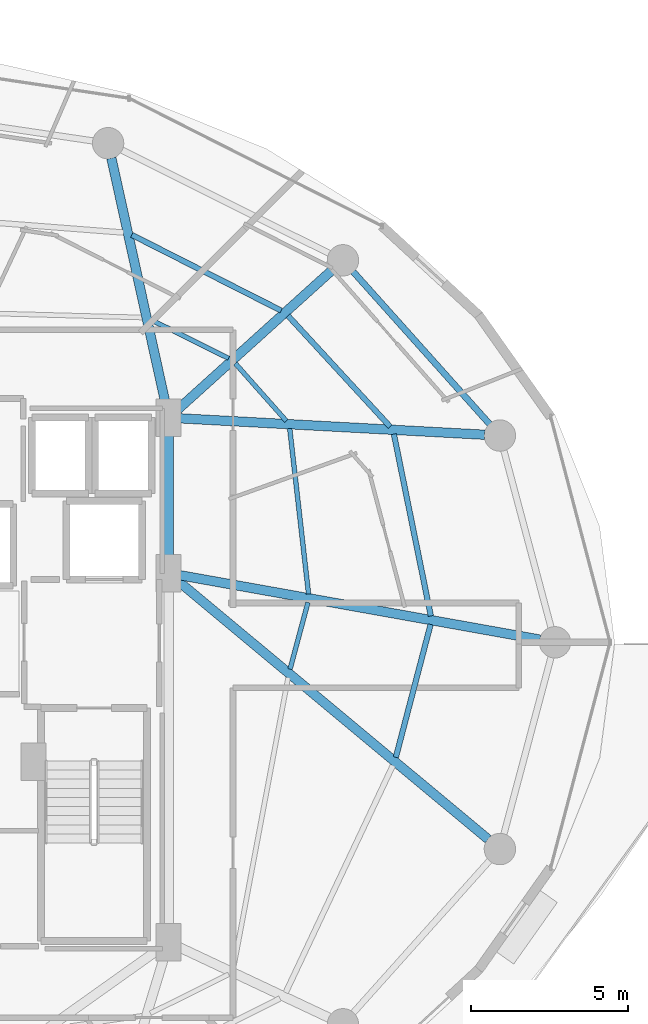
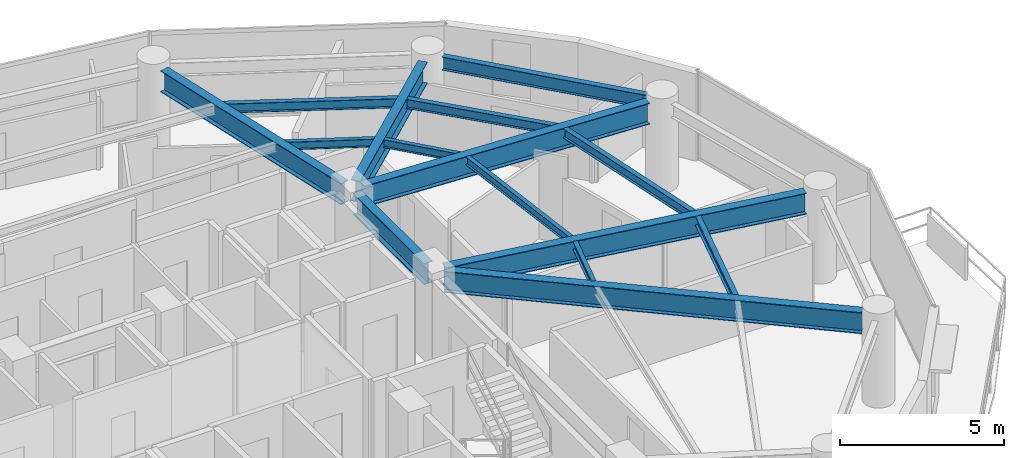
# One storey, part 15 of 31: 15 beams.
"""IFC4 building model written with IfcOpenShell, lengths in metres."""

from ifc_helpers import new_model, si_unit, direction, frame, origin, origin_2d, place, context, subcontext, project, spatial, i_section, extrude, material, material_profile, profile_set, type_object, element, save


model = new_model("IFC4")

# Units and contexts
model_context = context("Model", 3, precision=1e-05, world=origin(), true_north=direction((0.0, 1.0)))
body_context = subcontext(model_context, "Body", "Model", "MODEL_VIEW")
ifc_project = project(units=[si_unit("LENGTHUNIT", "METRE"), si_unit("AREAUNIT", "SQUARE_METRE"), si_unit("VOLUMEUNIT", "CUBIC_METRE"), si_unit("PLANEANGLEUNIT", "RADIAN"), si_unit("MASSUNIT", "GRAM", prefix="KILO")], contexts=[model_context])

# Site, building, storey
site_placement = place(None, origin())
site = spatial("IfcSite", under=ifc_project, at=site_placement, CompositionType="ELEMENT")
building_placement = place(site_placement, origin())
building = spatial("IfcBuilding", under=site, at=building_placement, Name="Vorneva Point Tower", CompositionType="ELEMENT")
storey_placement = place(building_placement, frame((0.0, 0.0, 129.10009765625)))
storey = spatial("IfcBuildingStorey", under=building, at=storey_placement, Name="L34", CompositionType="ELEMENT", Elevation=129.10009765625)

# Beams
ifc_material = material(Name="Steel S355", Category="steel")
ifc_material_profile_1 = material_profile(ifc_material, i_section(OverallWidth=0.300048828125, OverallDepth=0.7880859375, WebThickness=0.014404296875, FlangeThickness=0.02197265625, at=origin_2d()), Name="80Sh1")
ifc_profile_set_1 = profile_set([ifc_material_profile_1], Name="Steel S355")
beam_type_1 = type_object("IfcBeamType", Name="BM-GRD-80Sh1", PredefinedType="USERDEFINED", material=ifc_profile_set_1)
beam_1_placement = place(storey_placement, frame((60.569580078125, 26.0859375, 2.845947265625), z_axis=(-0.984378132756, 0.176067293249, 0.0), x_axis=(-0.176067293249, -0.984378132756, 0.0)))
element("IfcBeam", 1, at=beam_1_placement, inside=storey, type_object=beam_type_1, Name="L34 Radial Primary Girder 01", ObjectType="GIRDER", PredefinedType="USERDEFINED", context=body_context, shape_type="SweptSolid", body=[
    extrude(i_section(OverallWidth=0.300048828125, OverallDepth=0.7880859375, WebThickness=0.014404296875, FlangeThickness=0.02197265625, at=origin_2d()), origin(), (0.0, 0.0, 1.0), 11.667236328125),
])
beam_2_placement = place(storey_placement, frame((58.80810546875, 32.6083984375, 2.845947265625), z_axis=(-0.998554051908, 0.053756910424, 0.0), x_axis=(-0.053756910424, -0.998554051908, 0.0)))
element("IfcBeam", 2, at=beam_2_placement, inside=storey, type_object=beam_type_1, Name="L34 Radial Primary Girder 02", ObjectType="GIRDER", PredefinedType="USERDEFINED", context=body_context, shape_type="SweptSolid", body=[
    extrude(i_section(OverallWidth=0.300048828125, OverallDepth=0.7880859375, WebThickness=0.014404296875, FlangeThickness=0.02197265625, at=origin_2d()), origin(), (0.0, 0.0, 1.0), 9.732666015625),
])
beam_3_placement = place(storey_placement, frame((53.936767578125, 37.835205078125, 2.845947265625), z_axis=(-0.742084379637, -0.670306477292, 0.0), x_axis=(0.670306477292, -0.742084379637, 0.0)))
element("IfcBeam", 3, at=beam_3_placement, inside=storey, type_object=beam_type_1, Name="L34 Radial Primary Girder 03", ObjectType="GIRDER", PredefinedType="USERDEFINED", context=body_context, shape_type="SweptSolid", body=[
    extrude(i_section(OverallWidth=0.300048828125, OverallDepth=0.7880859375, WebThickness=0.014404296875, FlangeThickness=0.02197265625, at=origin_2d()), origin(), (0.0, 0.0, 1.0), 6.649658203125),
])
beam_4_placement = place(storey_placement, frame((46.926025390625, 41.414306640625, 2.845947265625), z_axis=(0.215520500859, -0.976499315775, 0.0), x_axis=(0.976499315775, 0.215520500859, 0.0)))
element("IfcBeam", 4, at=beam_4_placement, inside=storey, type_object=beam_type_1, Name="L34 Radial Primary Girder 04", ObjectType="GIRDER", PredefinedType="USERDEFINED", context=body_context, shape_type="SweptSolid", body=[
    extrude(i_section(OverallWidth=0.300048828125, OverallDepth=0.7880859375, WebThickness=0.014404296875, FlangeThickness=0.02197265625, at=origin_2d()), origin(), (0.0, 0.0, 1.0), 8.123291015625),
])
beam_5_placement = place(storey_placement, frame((58.92041015625, 19.72998046875, 2.845947265625), z_axis=(-0.76841987547, 0.639946009428, 0.0), x_axis=(-0.639946009428, -0.76841987547, 0.0)))
element("IfcBeam", 5, at=beam_5_placement, inside=storey, type_object=beam_type_1, Name="L34 Radial Primary Girder 16", ObjectType="GIRDER", PredefinedType="USERDEFINED", context=body_context, shape_type="SweptSolid", body=[
    extrude(i_section(OverallWidth=0.300048828125, OverallDepth=0.7880859375, WebThickness=0.014404296875, FlangeThickness=0.02197265625, at=origin_2d()), origin(), (0.0, 0.0, 1.0), 12.8955078125),
])
beam_6_placement = place(storey_placement, frame((48.75, 28.52001953125, 2.845947265625), z_axis=(0.0, 1.0, 0.0), x_axis=(-1.0, 0.0, 0.0)))
element("IfcBeam", 6, at=beam_6_placement, inside=storey, type_object=beam_type_1, Name="L34 Core Tie Girder CT4", ObjectType="GIRDER", PredefinedType="USERDEFINED", context=body_context, shape_type="SweptSolid", body=[
    extrude(i_section(OverallWidth=0.300048828125, OverallDepth=0.7880859375, WebThickness=0.014404296875, FlangeThickness=0.02197265625, at=origin_2d()), origin(), (0.0, 0.0, 1.0), 4.31005859375),
])
ifc_material_profile_2 = material_profile(ifc_material, i_section(OverallWidth=0.14892578125, OverallDepth=0.298095703125, WebThickness=0.005615234375, FlangeThickness=0.008056640625, at=origin_2d()), Name="30B1")
ifc_profile_set_2 = profile_set([ifc_material_profile_2], Name="Steel S355")
beam_type_2 = type_object("IfcBeamType", Name="BM-JST-30B1", PredefinedType="JOIST", material=ifc_profile_set_2)
beam_7_placement = place(storey_placement, frame((53.20361328125, 27.53759765625, 3.0908203125), z_axis=(-0.113124562524, 0.993580813701, 0.0), x_axis=(-0.993580813701, -0.113124562524, 0.0)))
element("IfcBeam", 7, at=beam_7_placement, inside=storey, type_object=beam_type_2, Name="L34 Secondary Floor Beam 2.01", PredefinedType="JOIST", context=body_context, shape_type="SweptSolid", body=[
    extrude(i_section(OverallWidth=0.14892578125, OverallDepth=0.298095703125, WebThickness=0.005615234375, FlangeThickness=0.008056640625, at=origin_2d()), origin(), (0.0, 0.0, 1.0), 5.302490234375),
])
beam_8_placement = place(storey_placement, frame((52.49658203125, 33.04638671875, 3.0908203125), z_axis=(-0.66365236786, 0.748041131646, 0.0), x_axis=(-0.748041131646, -0.66365236786, 0.0)))
element("IfcBeam", 8, at=beam_8_placement, inside=storey, type_object=beam_type_2, Name="L34 Secondary Floor Beam 2.02", PredefinedType="JOIST", context=body_context, shape_type="SweptSolid", body=[
    extrude(i_section(OverallWidth=0.14892578125, OverallDepth=0.298095703125, WebThickness=0.005615234375, FlangeThickness=0.008056640625, at=origin_2d()), origin(), (0.0, 0.0, 1.0), 2.450439453125),
])
beam_9_placement = place(storey_placement, frame((50.655029296875, 35.043701171875, 3.0908203125), z_axis=(-0.895831018968, 0.444394853092, 0.0), x_axis=(-0.444394853092, -0.895831018968, 0.0)))
element("IfcBeam", 9, at=beam_9_placement, inside=storey, type_object=beam_type_2, Name="L34 Secondary Floor Beam 2.03", PredefinedType="JOIST", context=body_context, shape_type="SweptSolid", body=[
    extrude(i_section(OverallWidth=0.14892578125, OverallDepth=0.298095703125, WebThickness=0.005615234375, FlangeThickness=0.008056640625, at=origin_2d()), origin(), (0.0, 0.0, 1.0), 2.77392578125),
])
beam_10_placement = place(storey_placement, frame((52.6142578125, 25.14501953125, 3.0908203125), z_axis=(0.259100758483, 0.965850297382, 0.0), x_axis=(-0.965850297382, 0.259100758483, 0.0)))
element("IfcBeam", 10, at=beam_10_placement, inside=storey, type_object=beam_type_2, Name="L34 Secondary Floor Beam 2.16", PredefinedType="JOIST", context=body_context, shape_type="SweptSolid", body=[
    extrude(i_section(OverallWidth=0.14892578125, OverallDepth=0.298095703125, WebThickness=0.005615234375, FlangeThickness=0.008056640625, at=origin_2d()), origin(), (0.0, 0.0, 1.0), 2.197265625),
])
ifc_material_profile_3 = material_profile(ifc_material, i_section(OverallWidth=0.174072265625, OverallDepth=0.345947265625, WebThickness=0.006103515625, FlangeThickness=0.009033203125, at=origin_2d()), Name="35B1")
ifc_profile_set_3 = profile_set([ifc_material_profile_3], Name="Steel S355")
beam_type_3 = type_object("IfcBeamType", Name="BM-SEC-35B1", PredefinedType="BEAM", material=ifc_profile_set_3)
beam_11_placement = place(storey_placement, frame((57.0966796875, 26.83740234375, 3.06689453125), z_axis=(-0.199077897851, 0.979983668531, 0.0), x_axis=(-0.979983668531, -0.199077897851, 0.0)))
element("IfcBeam", 11, at=beam_11_placement, inside=storey, type_object=beam_type_3, Name="L34 Secondary Floor Beam 1.01", PredefinedType="BEAM", context=body_context, shape_type="SweptSolid", body=[
    extrude(i_section(OverallWidth=0.174072265625, OverallDepth=0.345947265625, WebThickness=0.006103515625, FlangeThickness=0.009033203125, at=origin_2d()), origin(), (0.0, 0.0, 1.0), 5.9111328125),
])
beam_12_placement = place(storey_placement, frame((55.799072265625, 32.866943359375, 3.06689453125), z_axis=(-0.677292423638, 0.735713920545, 0.0), x_axis=(-0.735713920545, -0.677292423638, 0.0)))
element("IfcBeam", 12, at=beam_12_placement, inside=storey, type_object=beam_type_3, Name="L34 Secondary Floor Beam 1.02", PredefinedType="BEAM", context=body_context, shape_type="SweptSolid", body=[
    extrude(i_section(OverallWidth=0.174072265625, OverallDepth=0.345947265625, WebThickness=0.006103515625, FlangeThickness=0.009033203125, at=origin_2d()), origin(), (0.0, 0.0, 1.0), 4.79736328125),
])
beam_13_placement = place(storey_placement, frame((52.333251953125, 36.560302734375, 3.06689453125), z_axis=(-0.891979436535, 0.452075972375, 0.0), x_axis=(-0.452075972375, -0.891979436535, 0.0)))
element("IfcBeam", 13, at=beam_13_placement, inside=storey, type_object=beam_type_3, Name="L34 Secondary Floor Beam 1.03", PredefinedType="BEAM", context=body_context, shape_type="SweptSolid", body=[
    extrude(i_section(OverallWidth=0.174072265625, OverallDepth=0.345947265625, WebThickness=0.006103515625, FlangeThickness=0.009033203125, at=origin_2d()), origin(), (0.0, 0.0, 1.0), 5.335205078125),
])
beam_14_placement = place(storey_placement, frame((55.982666015625, 22.33935546875, 3.06689453125), z_axis=(0.253099315656, 0.967440301215, 0.0), x_axis=(-0.967440301215, 0.253099315656, 0.0)))
element("IfcBeam", 14, at=beam_14_placement, inside=storey, type_object=beam_type_3, Name="L34 Secondary Floor Beam 1.16", PredefinedType="BEAM", context=body_context, shape_type="SweptSolid", body=[
    extrude(i_section(OverallWidth=0.174072265625, OverallDepth=0.345947265625, WebThickness=0.006103515625, FlangeThickness=0.009033203125, at=origin_2d()), origin(), (0.0, 0.0, 1.0), 4.37158203125),
])
ifc_material_profile_4 = material_profile(ifc_material, i_section(OverallWidth=0.199951171875, OverallDepth=0.491943359375, WebThickness=0.0087890625, FlangeThickness=0.011962890625, at=origin_2d()), Name="50B1")
ifc_profile_set_4 = profile_set([ifc_material_profile_4], Name="Steel S355")
beam_type_4 = type_object("IfcBeamType", Name="BM-SPN-50B1", PredefinedType="SPANDREL", material=ifc_profile_set_4)
beam_15_placement = place(storey_placement, frame((58.971923828125, 32.943603515625, 2.993896484375), z_axis=(-0.667111118975, 0.74495822362, 0.0), x_axis=(-0.74495822362, -0.667111118975, 0.0)))
element("IfcBeam", 15, at=beam_15_placement, inside=storey, type_object=beam_type_4, Name="L34 Perimeter Spandrel Ring Beam 02", PredefinedType="SPANDREL", context=body_context, shape_type="SweptSolid", body=[
    extrude(i_section(OverallWidth=0.199951171875, OverallDepth=0.491943359375, WebThickness=0.0087890625, FlangeThickness=0.011962890625, at=origin_2d()), origin(), (0.0, 0.0, 1.0), 6.52001953125),
])

save(model, "model.ifc")
